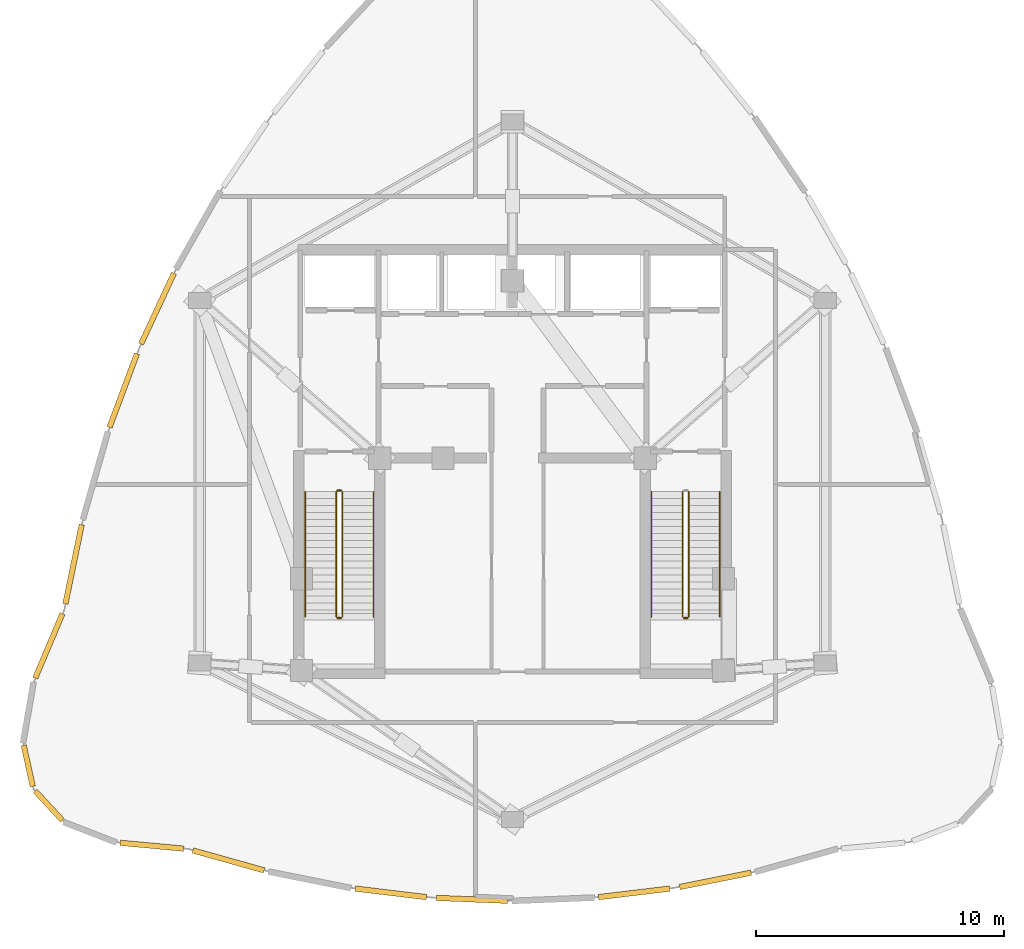
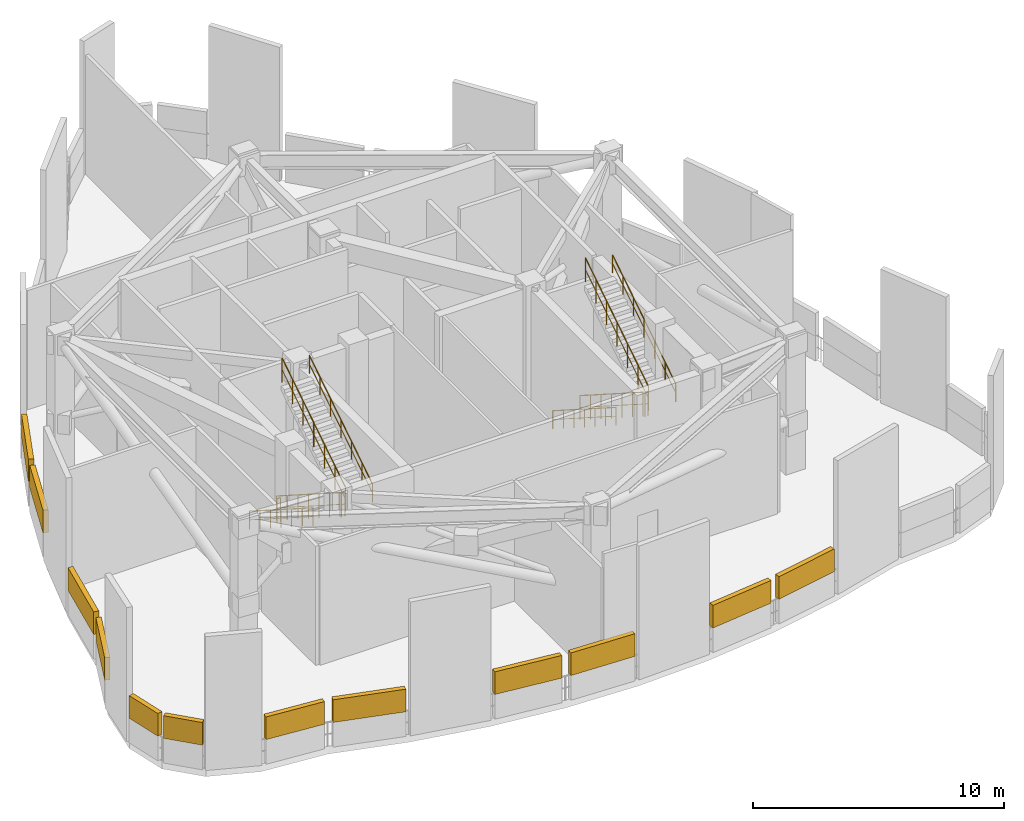
# One storey, part 5 of 8: 12 shading devices, 11 railings.
"""IFC4 building model written with IfcOpenShell, lengths in metres."""

import ifcopenshell
import ifcopenshell.guid

model = None  # the IFC model being written
_history = None  # IfcOwnerHistory: only IFC2X3 demands one
_inside = {}  # id of a spatial element -> (the spatial element, [elements in it])
_under = {}  # id of a project, library or spatial element -> (it, [spatial elements below it])
_declared = {}  # id of a project -> (the project, [libraries it declares])
_typed = {}  # id of a type object -> (the type object, [elements of that type])
_made_of = {}  # id of a material, layer set ... -> (it, [elements and type objects made of it])


def new_model(schema):
    """Start an empty IFC model of exactly this schema.

    Asked for "IFC4X3", IfcOpenShell would pick the latest addendum, in which some entities
    have other attributes; the version numbers below select the first issue.
    IFC2X3 requires an IfcOwnerHistory on every rooted entity: one is made here for all.
    """
    global model, _history
    if schema == "IFC4X3":
        model = ifcopenshell.file(schema_version=(4, 3, 0, 0))
    else:
        model = ifcopenshell.file(schema=schema)
    _inside.clear()
    _under.clear()
    _declared.clear()
    _typed.clear()
    _made_of.clear()
    _history = None
    if model.schema == "IFC2X3":
        org = make("IfcOrganization", Name="unknown")
        user = make(
            "IfcPersonAndOrganization",
            ThePerson=make("IfcPerson", FamilyName="unknown"),
            TheOrganization=org,
        )
        app = make(
            "IfcApplication",
            ApplicationDeveloper=org,
            Version="unknown",
            ApplicationFullName="unknown",
            ApplicationIdentifier="unknown",
        )
        _history = make(
            "IfcOwnerHistory",
            OwningUser=user,
            OwningApplication=app,
            ChangeAction="ADDED",
            CreationDate=0,
        )
    return model


def make(cls, **values):
    """One entity of the class cls with the attributes given. An attribute that is None is left unset."""
    return model.create_entity(
        cls, **{name: value for name, value in values.items() if value is not None}
    )


def rooted(cls, **values):
    """An entity with a GlobalId (a new one), such as an element, a storey or a relation."""
    return make(cls, GlobalId=ifcopenshell.guid.new(), OwnerHistory=_history, **values)


def si_unit(unit_type, name, prefix=None):
    """IfcSIUnit, for example si_unit("LENGTHUNIT", "METRE", prefix="MILLI")."""
    return make("IfcSIUnit", UnitType=unit_type, Prefix=prefix, Name=name)


def assignment(units):
    """IfcUnitAssignment: the units of a project."""
    return None if units is None else make("IfcUnitAssignment", Units=units)


def point(xyz):
    """IfcCartesianPoint."""
    return None if xyz is None else make("IfcCartesianPoint", Coordinates=xyz)


def direction(xyz):
    """IfcDirection."""
    return None if xyz is None else make("IfcDirection", DirectionRatios=xyz)


def frame(location, z_axis=None, x_axis=None):
    """IfcAxis2Placement3D, a coordinate frame: its origin and axes. An axis left out is left unset."""
    return make(
        "IfcAxis2Placement3D",
        Location=point(location),
        Axis=direction(z_axis),
        RefDirection=direction(x_axis),
    )


def frame_2d(location, x_axis=None):
    """IfcAxis2Placement2D, a coordinate frame in the plane: its origin and x axis."""
    return make(
        "IfcAxis2Placement2D", Location=point(location), RefDirection=direction(x_axis)
    )


def origin():
    """The frame at (0, 0, 0) with its axes left unset."""
    return frame((0.0, 0.0, 0.0))


def origin_2d():
    """The frame at (0, 0) in the plane with its x axis left unset."""
    return frame_2d((0.0, 0.0))


def place(relative_to, where):
    """IfcLocalPlacement: puts the frame where relative to a parent placement (None: the world)."""
    return make(
        "IfcLocalPlacement", PlacementRelTo=relative_to, RelativePlacement=where
    )


def context(
    kind, dimensions, precision=None, world=None, true_north=None, identifier=None
):
    """IfcGeometricRepresentationContext, for example the 3D "Model" context."""
    return make(
        "IfcGeometricRepresentationContext",
        ContextIdentifier=identifier,
        ContextType=kind,
        CoordinateSpaceDimension=dimensions,
        Precision=precision,
        WorldCoordinateSystem=world,
        TrueNorth=true_north,
    )


def subcontext(parent, identifier, kind, view, scale=None):
    """IfcGeometricRepresentationSubContext, for example "Body" below "Model"."""
    return make(
        "IfcGeometricRepresentationSubContext",
        ContextIdentifier=identifier,
        ContextType=kind,
        ParentContext=parent,
        TargetScale=scale,
        TargetView=view,
    )


def project(units=None, contexts=None):
    """IfcProject with its units and contexts."""
    return rooted(
        "IfcProject",
        Name="project",
        RepresentationContexts=contexts,
        UnitsInContext=assignment(units),
    )


def spatial(cls, under=None, at=None, **own):
    """A site, building, storey or space (cls), placed at a placement, below another one or the project."""
    s = rooted(cls, ObjectPlacement=at, **own)
    if under is not None:
        _under.setdefault(under.id(), (under, []))[1].append(s)
    return s


def profile(cls, at=None, kind="AREA", **sizes):
    """A parametric profile (cls). Its sizes go by their IFC names, for example OverallWidth=200.0."""
    return make(cls, ProfileType=kind, Position=at, **sizes)


def rectangle(**sizes):
    """IfcRectangleProfileDef."""
    return profile("IfcRectangleProfileDef", **sizes)


def circle(**sizes):
    """IfcCircleProfileDef."""
    return profile("IfcCircleProfileDef", **sizes)


def extrude(swept, where, along, depth):
    """IfcExtrudedAreaSolid: the profile swept, set in the frame where, extruded along a direction by depth."""
    return make(
        "IfcExtrudedAreaSolid",
        SweptArea=swept,
        Position=where,
        ExtrudedDirection=direction(along),
        Depth=depth,
    )


def shape(context_of_items, identifier, shape_type, items):
    """IfcShapeRepresentation: the items that make up one representation, for example the "Body"."""
    return make(
        "IfcShapeRepresentation",
        ContextOfItems=context_of_items,
        RepresentationIdentifier=identifier,
        RepresentationType=shape_type,
        Items=items,
    )


def material(Name=None, Category=None):
    """IfcMaterial."""
    return make("IfcMaterial", Name=Name, Category=Category)


def made_of(thing, what):
    """Note that an element or type object is made of a material, layer set ...; save() writes the relation."""
    if what is not None:
        _made_of.setdefault(what.id(), (what, []))[1].append(thing)
    return thing


def type_object(cls, material=None, **own):
    """A type object (cls), such as IfcWallType, which elements share."""
    return made_of(rooted(cls, **own), material)


def element(
    cls,
    number,
    at=None,
    inside=None,
    cuts=None,
    type_object=None,
    material=None,
    context=None,
    identifier="Body",
    shape_type=None,
    held_by="IfcProductDefinitionShape",
    body=None,
    shapes=None,
    **own,
):
    """One element of the class cls, such as IfcWall. Its Tag is "e" and its number.

    at: its placement. inside: the storey or other place that contains it. cuts: it is an
    opening in that element (IfcRelVoidsElement). A single representation is given by context,
    identifier, shape_type and body (its items); several are given by shapes. held_by: the class
    of the entity that holds the representations. save() writes the other relations.
    """
    e = rooted(cls, Tag="e%d" % number, ObjectPlacement=at, **own)
    if body is not None:
        shapes = [shape(context, identifier, shape_type, body)]
    if shapes is not None:
        e.Representation = make(held_by, Representations=shapes)
    if inside is not None:
        _inside.setdefault(inside.id(), (inside, []))[1].append(e)
    if cuts is not None:
        rooted(
            "IfcRelVoidsElement", RelatingBuildingElement=cuts, RelatedOpeningElement=e
        )
    if type_object is not None:
        _typed.setdefault(type_object.id(), (type_object, []))[1].append(e)
    return made_of(e, material)


def aggregate(whole, parts):
    """IfcRelAggregates: a whole, such as a stair, and the parts it consists of."""
    return rooted("IfcRelAggregates", RelatingObject=whole, RelatedObjects=parts)


def save(model, path):
    """Write the relations noted so far, then the file.

    IfcRelAggregates (storeys below a building ...), IfcRelContainedInSpatialStructure (elements
    in a storey), IfcRelDefinesByType, IfcRelAssociatesMaterial and IfcRelDeclares: one each for
    every whole, place, type object, material and project.
    """
    for whole, parts in _under.values():
        aggregate(whole, parts)
    for where, things in _inside.values():
        rooted(
            "IfcRelContainedInSpatialStructure",
            RelatedElements=things,
            RelatingStructure=where,
        )
    for kind, things in _typed.values():
        rooted("IfcRelDefinesByType", RelatedObjects=things, RelatingType=kind)
    for what, things in _made_of.values():
        rooted("IfcRelAssociatesMaterial", RelatedObjects=things, RelatingMaterial=what)
    for by, libraries in _declared.values():
        rooted("IfcRelDeclares", RelatingContext=by, RelatedDefinitions=libraries)
    model.write(path)


model = new_model("IFC4")

# Units and contexts
model_context = context("Model", 3, precision=1e-05, world=origin(), true_north=direction((0.0, 1.0)))
body_context = subcontext(model_context, "Body", "Model", "MODEL_VIEW")
ifc_project = project(units=[si_unit("LENGTHUNIT", "METRE"), si_unit("AREAUNIT", "SQUARE_METRE"), si_unit("VOLUMEUNIT", "CUBIC_METRE"), si_unit("PLANEANGLEUNIT", "RADIAN"), si_unit("MASSUNIT", "GRAM", prefix="KILO")], contexts=[model_context])

# Site, building, storey
site_placement = place(None, origin())
site = spatial("IfcSite", under=ifc_project, at=site_placement, CompositionType="ELEMENT")
building_placement = place(site_placement, origin())
building = spatial("IfcBuilding", under=site, at=building_placement, Name="Miruveldt Soraemaru", CompositionType="ELEMENT")
storey_placement = place(building_placement, frame((0.0, 0.0, 282.800048828125)))
storey = spatial("IfcBuildingStorey", under=building, at=storey_placement, Name="L77", CompositionType="ELEMENT", Elevation=282.800048828125)

# Railings
ifc_material_1 = material(Name="Steel S355 (355 MPa)", Category="steel")
railing_type_1 = type_object("IfcRailingType", Name="RAIL-HR-900", PredefinedType="HANDRAIL", material=ifc_material_1)
railing_1_placement = place(storey_placement, frame((35.64990234375, 42.699951171875, 0.178955078125)))
element("IfcRailing", 1, at=railing_1_placement, inside=storey, type_object=railing_type_1, Name="L77 ST-1 stair handrail 1", PredefinedType="HANDRAIL", context=body_context, shape_type="SweptSolid", body=[
    extrude(circle(Radius=0.02392578125, at=origin_2d()), frame((0.0, 0.0, 0.8759765625), z_axis=(0.0, -0.842626293466, 0.538498773963), x_axis=(1.0, 0.0, 0.0)), (0.0, 0.0, 1.0), 5.9814453125),
    extrude(circle(Radius=0.01611328125, at=origin_2d()), frame((0.0, 0.0, 0.449951171875), z_axis=(0.0, -0.842626293466, 0.538498773963), x_axis=(1.0, 0.0, 0.0)), (0.0, 0.0, 1.0), 5.9814453125),
    extrude(circle(Radius=0.02099609375, at=origin_2d()), origin(), (0.0, 0.0, 1.0), 0.851806640625),
    extrude(circle(Radius=0.02099609375, at=origin_2d()), frame((0.0, -0.840087890625, 0.536865234375)), (0.0, 0.0, 1.0), 0.851806640625),
    extrude(circle(Radius=0.02099609375, at=origin_2d()), frame((0.0, -1.679931640625, 1.07373046875)), (0.0, 0.0, 1.0), 0.851806640625),
    extrude(circle(Radius=0.02099609375, at=origin_2d()), frame((0.0, -2.52001953125, 1.6103515625)), (0.0, 0.0, 1.0), 0.851806640625),
    extrude(circle(Radius=0.02099609375, at=origin_2d()), frame((0.0, -3.360107421875, 2.147216796875)), (0.0, 0.0, 1.0), 0.851806640625),
    extrude(circle(Radius=0.02099609375, at=origin_2d()), frame((0.0, -4.199951171875, 2.68408203125)), (0.0, 0.0, 1.0), 0.851806640625),
    extrude(circle(Radius=0.02099609375, at=origin_2d()), frame((0.0, -5.0400390625, 3.220947265625)), (0.0, 0.0, 1.0), 0.851806640625),
])
railing_2_placement = place(storey_placement, frame((38.39990234375, 37.659912109375, 3.578857421875)))
element("IfcRailing", 2, at=railing_2_placement, inside=storey, type_object=railing_type_1, Name="L77 ST-1 stair handrail 2", PredefinedType="HANDRAIL", context=body_context, shape_type="SweptSolid", body=[
    extrude(circle(Radius=0.02392578125, at=origin_2d()), frame((0.0, 0.0, 0.8759765625), z_axis=(0.0, 0.842607772526, 0.538527753861), x_axis=(-1.0, 0.0, 0.0)), (0.0, 0.0, 1.0), 5.9814453125),
    extrude(circle(Radius=0.01611328125, at=origin_2d()), frame((0.0, 0.0, 0.449951171875), z_axis=(0.0, 0.842607772526, 0.538527753861), x_axis=(-1.0, 0.0, 0.0)), (0.0, 0.0, 1.0), 5.9814453125),
    extrude(circle(Radius=0.02099609375, at=origin_2d()), origin(), (0.0, 0.0, 1.0), 0.851806640625),
    extrude(circle(Radius=0.02099609375, at=origin_2d()), frame((0.0, 0.840087890625, 0.536865234375)), (0.0, 0.0, 1.0), 0.851806640625),
    extrude(circle(Radius=0.02099609375, at=origin_2d()), frame((0.0, 1.679931640625, 1.07373046875)), (0.0, 0.0, 1.0), 0.851806640625),
    extrude(circle(Radius=0.02099609375, at=origin_2d()), frame((0.0, 2.52001953125, 1.610595703125)), (0.0, 0.0, 1.0), 0.851806640625),
    extrude(circle(Radius=0.02099609375, at=origin_2d()), frame((0.0, 3.360107421875, 2.1474609375)), (0.0, 0.0, 1.0), 0.851806640625),
    extrude(circle(Radius=0.02099609375, at=origin_2d()), frame((0.0, 4.199951171875, 2.684326171875)), (0.0, 0.0, 1.0), 0.851806640625),
    extrude(circle(Radius=0.02099609375, at=origin_2d()), frame((0.0, 5.0400390625, 3.22119140625)), (0.0, 0.0, 1.0), 0.851806640625),
])
railing_3_placement = place(storey_placement, frame((49.60009765625, 42.699951171875, 0.178955078125)))
element("IfcRailing", 3, at=railing_3_placement, inside=storey, type_object=railing_type_1, Name="L77 ST-2 stair handrail 1", PredefinedType="HANDRAIL", context=body_context, shape_type="SweptSolid", body=[
    extrude(circle(Radius=0.02392578125, at=origin_2d()), frame((0.0, 0.0, 0.8759765625), z_axis=(0.0, -0.842626293466, 0.538498773963), x_axis=(1.0, 0.0, 0.0)), (0.0, 0.0, 1.0), 5.9814453125),
    extrude(circle(Radius=0.01611328125, at=origin_2d()), frame((0.0, 0.0, 0.449951171875), z_axis=(0.0, -0.842626293466, 0.538498773963), x_axis=(1.0, 0.0, 0.0)), (0.0, 0.0, 1.0), 5.9814453125),
    extrude(circle(Radius=0.02099609375, at=origin_2d()), origin(), (0.0, 0.0, 1.0), 0.851806640625),
    extrude(circle(Radius=0.02099609375, at=origin_2d()), frame((0.0, -0.840087890625, 0.536865234375)), (0.0, 0.0, 1.0), 0.851806640625),
    extrude(circle(Radius=0.02099609375, at=origin_2d()), frame((0.0, -1.679931640625, 1.07373046875)), (0.0, 0.0, 1.0), 0.851806640625),
    extrude(circle(Radius=0.02099609375, at=origin_2d()), frame((0.0, -2.52001953125, 1.6103515625)), (0.0, 0.0, 1.0), 0.851806640625),
    extrude(circle(Radius=0.02099609375, at=origin_2d()), frame((0.0, -3.360107421875, 2.147216796875)), (0.0, 0.0, 1.0), 0.851806640625),
    extrude(circle(Radius=0.02099609375, at=origin_2d()), frame((0.0, -4.199951171875, 2.68408203125)), (0.0, 0.0, 1.0), 0.851806640625),
    extrude(circle(Radius=0.02099609375, at=origin_2d()), frame((0.0, -5.0400390625, 3.220947265625)), (0.0, 0.0, 1.0), 0.851806640625),
])
railing_4_placement = place(storey_placement, frame((52.35009765625, 37.659912109375, 3.578857421875)))
element("IfcRailing", 4, at=railing_4_placement, inside=storey, type_object=railing_type_1, Name="L77 ST-2 stair handrail 2", PredefinedType="HANDRAIL", context=body_context, shape_type="SweptSolid", body=[
    extrude(circle(Radius=0.02392578125, at=origin_2d()), frame((0.0, 0.0, 0.8759765625), z_axis=(0.0, 0.842607772526, 0.538527753861), x_axis=(-1.0, 0.0, 0.0)), (0.0, 0.0, 1.0), 5.9814453125),
    extrude(circle(Radius=0.01611328125, at=origin_2d()), frame((0.0, 0.0, 0.449951171875), z_axis=(0.0, 0.842607772526, 0.538527753861), x_axis=(-1.0, 0.0, 0.0)), (0.0, 0.0, 1.0), 5.9814453125),
    extrude(circle(Radius=0.02099609375, at=origin_2d()), origin(), (0.0, 0.0, 1.0), 0.851806640625),
    extrude(circle(Radius=0.02099609375, at=origin_2d()), frame((0.0, 0.840087890625, 0.536865234375)), (0.0, 0.0, 1.0), 0.851806640625),
    extrude(circle(Radius=0.02099609375, at=origin_2d()), frame((0.0, 1.679931640625, 1.07373046875)), (0.0, 0.0, 1.0), 0.851806640625),
    extrude(circle(Radius=0.02099609375, at=origin_2d()), frame((0.0, 2.52001953125, 1.610595703125)), (0.0, 0.0, 1.0), 0.851806640625),
    extrude(circle(Radius=0.02099609375, at=origin_2d()), frame((0.0, 3.360107421875, 2.1474609375)), (0.0, 0.0, 1.0), 0.851806640625),
    extrude(circle(Radius=0.02099609375, at=origin_2d()), frame((0.0, 4.199951171875, 2.684326171875)), (0.0, 0.0, 1.0), 0.851806640625),
    extrude(circle(Radius=0.02099609375, at=origin_2d()), frame((0.0, 5.0400390625, 3.22119140625)), (0.0, 0.0, 1.0), 0.851806640625),
])
railing_type_2 = type_object("IfcRailingType", Name="RAIL-STGUARD-1200", PredefinedType="GUARDRAIL", material=ifc_material_1)
railing_5_placement = place(storey_placement, frame((36.89990234375, 42.699951171875, 0.178955078125)))
element("IfcRailing", 5, at=railing_5_placement, inside=storey, type_object=railing_type_2, Name="L77 ST-1 stair guard 1", PredefinedType="GUARDRAIL", context=body_context, shape_type="SweptSolid", body=[
    extrude(circle(Radius=0.02392578125, at=origin_2d()), frame((0.0, 0.0, 1.17578125), z_axis=(0.0, -0.842626293466, 0.538498773963), x_axis=(1.0, 0.0, 0.0)), (0.0, 0.0, 1.0), 5.9814453125),
    extrude(circle(Radius=0.01611328125, at=origin_2d()), frame((0.0, 0.0, 0.60009765625), z_axis=(0.0, -0.842626293466, 0.538498773963), x_axis=(1.0, 0.0, 0.0)), (0.0, 0.0, 1.0), 5.9814453125),
    extrude(circle(Radius=0.02099609375, at=origin_2d()), origin(), (0.0, 0.0, 1.0), 1.15185546875),
    extrude(circle(Radius=0.02099609375, at=origin_2d()), frame((0.0, -0.840087890625, 0.536865234375)), (0.0, 0.0, 1.0), 1.15185546875),
    extrude(circle(Radius=0.02099609375, at=origin_2d()), frame((0.0, -1.679931640625, 1.07373046875)), (0.0, 0.0, 1.0), 1.15185546875),
    extrude(circle(Radius=0.02099609375, at=origin_2d()), frame((0.0, -2.52001953125, 1.6103515625)), (0.0, 0.0, 1.0), 1.15185546875),
    extrude(circle(Radius=0.02099609375, at=origin_2d()), frame((0.0, -3.360107421875, 2.147216796875)), (0.0, 0.0, 1.0), 1.15185546875),
    extrude(circle(Radius=0.02099609375, at=origin_2d()), frame((0.0, -4.199951171875, 2.68408203125)), (0.0, 0.0, 1.0), 1.15185546875),
    extrude(circle(Radius=0.02099609375, at=origin_2d()), frame((0.0, -5.0400390625, 3.220947265625)), (0.0, 0.0, 1.0), 1.15185546875),
])
railing_6_placement = place(storey_placement, frame((36.949951171875, 37.610107421875, 3.39990234375)))
element("IfcRailing", 6, at=railing_6_placement, inside=storey, type_object=railing_type_2, Name="L77 ST-1 stair guard 2", PredefinedType="GUARDRAIL", context=body_context, shape_type="SweptSolid", body=[
    extrude(circle(Radius=0.02392578125, at=origin_2d()), frame((0.0, 0.0, 1.17578125), z_axis=(1.0, 0.0, 0.0), x_axis=(0.0, 1.0, 0.0)), (0.0, 0.0, 1.0), 0.150146484375),
    extrude(circle(Radius=0.01611328125, at=origin_2d()), frame((0.0, 0.0, 0.60009765625), z_axis=(1.0, 0.0, 0.0), x_axis=(0.0, 1.0, 0.0)), (0.0, 0.0, 1.0), 0.150146484375),
    extrude(circle(Radius=0.02099609375, at=origin_2d()), origin(), (0.0, 0.0, 1.0), 1.15185546875),
    extrude(circle(Radius=0.02099609375, at=origin_2d()), frame((0.150146484375, 0.0, 0.0)), (0.0, 0.0, 1.0), 1.15185546875),
])
railing_7_placement = place(storey_placement, frame((37.14990234375, 37.659912109375, 3.578857421875)))
element("IfcRailing", 7, at=railing_7_placement, inside=storey, type_object=railing_type_2, Name="L77 ST-1 stair guard 3", PredefinedType="GUARDRAIL", context=body_context, shape_type="SweptSolid", body=[
    extrude(circle(Radius=0.02392578125, at=origin_2d()), frame((0.0, 0.0, 1.17578125), z_axis=(0.0, 0.842607772526, 0.538527753861), x_axis=(-1.0, 0.0, 0.0)), (0.0, 0.0, 1.0), 5.9814453125),
    extrude(circle(Radius=0.01611328125, at=origin_2d()), frame((0.0, 0.0, 0.60009765625), z_axis=(0.0, 0.842607772526, 0.538527753861), x_axis=(-1.0, 0.0, 0.0)), (0.0, 0.0, 1.0), 5.9814453125),
    extrude(circle(Radius=0.02099609375, at=origin_2d()), origin(), (0.0, 0.0, 1.0), 1.15185546875),
    extrude(circle(Radius=0.02099609375, at=origin_2d()), frame((0.0, 0.840087890625, 0.536865234375)), (0.0, 0.0, 1.0), 1.15185546875),
    extrude(circle(Radius=0.02099609375, at=origin_2d()), frame((0.0, 1.679931640625, 1.07373046875)), (0.0, 0.0, 1.0), 1.15185546875),
    extrude(circle(Radius=0.02099609375, at=origin_2d()), frame((0.0, 2.52001953125, 1.610595703125)), (0.0, 0.0, 1.0), 1.15185546875),
    extrude(circle(Radius=0.02099609375, at=origin_2d()), frame((0.0, 3.360107421875, 2.1474609375)), (0.0, 0.0, 1.0), 1.15185546875),
    extrude(circle(Radius=0.02099609375, at=origin_2d()), frame((0.0, 4.199951171875, 2.684326171875)), (0.0, 0.0, 1.0), 1.15185546875),
    extrude(circle(Radius=0.02099609375, at=origin_2d()), frame((0.0, 5.0400390625, 3.22119140625)), (0.0, 0.0, 1.0), 1.15185546875),
])
railing_8_placement = place(storey_placement, frame((36.949951171875, 42.75, 0.0)))
element("IfcRailing", 8, at=railing_8_placement, inside=storey, type_object=railing_type_2, Name="L77 ST-1 stair guard 4", PredefinedType="GUARDRAIL", context=body_context, shape_type="SweptSolid", body=[
    extrude(circle(Radius=0.02392578125, at=origin_2d()), frame((0.0, 0.0, 1.17578125), z_axis=(1.0, 0.0, 0.0), x_axis=(0.0, 1.0, 0.0)), (0.0, 0.0, 1.0), 0.150146484375),
    extrude(circle(Radius=0.01611328125, at=origin_2d()), frame((0.0, 0.0, 0.60009765625), z_axis=(1.0, 0.0, 0.0), x_axis=(0.0, 1.0, 0.0)), (0.0, 0.0, 1.0), 0.150146484375),
    extrude(circle(Radius=0.02099609375, at=origin_2d()), origin(), (0.0, 0.0, 1.0), 1.15185546875),
    extrude(circle(Radius=0.02099609375, at=origin_2d()), frame((0.150146484375, 0.0, 0.0)), (0.0, 0.0, 1.0), 1.15185546875),
])
railing_9_placement = place(storey_placement, frame((50.85009765625, 42.699951171875, 0.178955078125)))
element("IfcRailing", 9, at=railing_9_placement, inside=storey, type_object=railing_type_2, Name="L77 ST-2 stair guard 1", PredefinedType="GUARDRAIL", context=body_context, shape_type="SweptSolid", body=[
    extrude(circle(Radius=0.02392578125, at=origin_2d()), frame((0.0, 0.0, 1.17578125), z_axis=(0.0, -0.842626293466, 0.538498773963), x_axis=(1.0, 0.0, 0.0)), (0.0, 0.0, 1.0), 5.9814453125),
    extrude(circle(Radius=0.01611328125, at=origin_2d()), frame((0.0, 0.0, 0.60009765625), z_axis=(0.0, -0.842626293466, 0.538498773963), x_axis=(1.0, 0.0, 0.0)), (0.0, 0.0, 1.0), 5.9814453125),
    extrude(circle(Radius=0.02099609375, at=origin_2d()), origin(), (0.0, 0.0, 1.0), 1.15185546875),
    extrude(circle(Radius=0.02099609375, at=origin_2d()), frame((0.0, -0.840087890625, 0.536865234375)), (0.0, 0.0, 1.0), 1.15185546875),
    extrude(circle(Radius=0.02099609375, at=origin_2d()), frame((0.0, -1.679931640625, 1.07373046875)), (0.0, 0.0, 1.0), 1.15185546875),
    extrude(circle(Radius=0.02099609375, at=origin_2d()), frame((0.0, -2.52001953125, 1.6103515625)), (0.0, 0.0, 1.0), 1.15185546875),
    extrude(circle(Radius=0.02099609375, at=origin_2d()), frame((0.0, -3.360107421875, 2.147216796875)), (0.0, 0.0, 1.0), 1.15185546875),
    extrude(circle(Radius=0.02099609375, at=origin_2d()), frame((0.0, -4.199951171875, 2.68408203125)), (0.0, 0.0, 1.0), 1.15185546875),
    extrude(circle(Radius=0.02099609375, at=origin_2d()), frame((0.0, -5.0400390625, 3.220947265625)), (0.0, 0.0, 1.0), 1.15185546875),
])
railing_10_placement = place(storey_placement, frame((50.89990234375, 37.610107421875, 3.39990234375)))
element("IfcRailing", 10, at=railing_10_placement, inside=storey, type_object=railing_type_2, Name="L77 ST-2 stair guard 2", PredefinedType="GUARDRAIL", context=body_context, shape_type="SweptSolid", body=[
    extrude(circle(Radius=0.02392578125, at=origin_2d()), frame((0.0, 0.0, 1.17578125), z_axis=(1.0, 0.0, 0.0), x_axis=(0.0, 1.0, 0.0)), (0.0, 0.0, 1.0), 0.150146484375),
    extrude(circle(Radius=0.01611328125, at=origin_2d()), frame((0.0, 0.0, 0.60009765625), z_axis=(1.0, 0.0, 0.0), x_axis=(0.0, 1.0, 0.0)), (0.0, 0.0, 1.0), 0.150146484375),
    extrude(circle(Radius=0.02099609375, at=origin_2d()), origin(), (0.0, 0.0, 1.0), 1.15185546875),
    extrude(circle(Radius=0.02099609375, at=origin_2d()), frame((0.150146484375, 0.0, 0.0)), (0.0, 0.0, 1.0), 1.15185546875),
])
railing_11_placement = place(storey_placement, frame((51.10009765625, 37.659912109375, 3.578857421875)))
element("IfcRailing", 11, at=railing_11_placement, inside=storey, type_object=railing_type_2, Name="L77 ST-2 stair guard 3", PredefinedType="GUARDRAIL", context=body_context, shape_type="SweptSolid", body=[
    extrude(circle(Radius=0.02392578125, at=origin_2d()), frame((0.0, 0.0, 1.17578125), z_axis=(0.0, 0.842607772526, 0.538527753861), x_axis=(-1.0, 0.0, 0.0)), (0.0, 0.0, 1.0), 5.9814453125),
    extrude(circle(Radius=0.01611328125, at=origin_2d()), frame((0.0, 0.0, 0.60009765625), z_axis=(0.0, 0.842607772526, 0.538527753861), x_axis=(-1.0, 0.0, 0.0)), (0.0, 0.0, 1.0), 5.9814453125),
    extrude(circle(Radius=0.02099609375, at=origin_2d()), origin(), (0.0, 0.0, 1.0), 1.15185546875),
    extrude(circle(Radius=0.02099609375, at=origin_2d()), frame((0.0, 0.840087890625, 0.536865234375)), (0.0, 0.0, 1.0), 1.15185546875),
    extrude(circle(Radius=0.02099609375, at=origin_2d()), frame((0.0, 1.679931640625, 1.07373046875)), (0.0, 0.0, 1.0), 1.15185546875),
    extrude(circle(Radius=0.02099609375, at=origin_2d()), frame((0.0, 2.52001953125, 1.610595703125)), (0.0, 0.0, 1.0), 1.15185546875),
    extrude(circle(Radius=0.02099609375, at=origin_2d()), frame((0.0, 3.360107421875, 2.1474609375)), (0.0, 0.0, 1.0), 1.15185546875),
    extrude(circle(Radius=0.02099609375, at=origin_2d()), frame((0.0, 4.199951171875, 2.684326171875)), (0.0, 0.0, 1.0), 1.15185546875),
    extrude(circle(Radius=0.02099609375, at=origin_2d()), frame((0.0, 5.0400390625, 3.22119140625)), (0.0, 0.0, 1.0), 1.15185546875),
])

# Shading devices
ifc_material_2 = material(Name="Anodised aluminium EN AW-6063 T6", Category="aluminium")
shading_device_type = type_object("IfcShadingDeviceType", Name="SHD-LOUVRE-JAL", PredefinedType="JALOUSIE", material=ifc_material_2)
shading_device_1_placement = place(storey_placement, frame((29.698974609375, 50.075927734375, 1.199951171875), z_axis=(0.0, 0.0, 1.0), x_axis=(-0.422301874901, -0.906455253421, 0.0)))
element("IfcShadingDevice", 12, at=shading_device_1_placement, inside=storey, type_object=shading_device_type, Name="L77 Aerodynamic Intake Louvre 11", PredefinedType="JALOUSIE", context=body_context, shape_type="SweptSolid", body=[
    extrude(rectangle(XDim=3.1416015625, YDim=0.219970703125, at=origin_2d()), origin(), (0.0, 0.0, 1.0), 1.10009765625),
])
shading_device_2_placement = place(storey_placement, frame((28.318115234375, 46.774658203125, 1.199951171875), z_axis=(0.0, 0.0, 1.0), x_axis=(-0.349046403698, -0.937105441274, 0.0)))
element("IfcShadingDevice", 13, at=shading_device_2_placement, inside=storey, type_object=shading_device_type, Name="L77 Aerodynamic Intake Louvre 12", PredefinedType="JALOUSIE", context=body_context, shape_type="SweptSolid", body=[
    extrude(rectangle(XDim=3.16162109375, YDim=0.219970703125, at=origin_2d()), origin(), (0.0, 0.0, 1.0), 1.10009765625),
])
shading_device_3_placement = place(storey_placement, frame((26.3173828125, 39.77978515625, 1.199951171875), z_axis=(0.0, 0.0, 1.0), x_axis=(-0.201556607891, -0.979476867422, 0.0)))
element("IfcShadingDevice", 14, at=shading_device_3_placement, inside=storey, type_object=shading_device_type, Name="L77 Aerodynamic Intake Louvre 14", PredefinedType="JALOUSIE", context=body_context, shape_type="SweptSolid", body=[
    extrude(rectangle(XDim=3.259765625, YDim=0.219970703125, at=origin_2d()), origin(), (0.0, 0.0, 1.0), 1.10009765625),
])
shading_device_4_placement = place(storey_placement, frame((25.321533203125, 36.489501953125, 1.199951171875), z_axis=(0.0, 0.0, 1.0), x_axis=(-0.38860940249, -0.921402589695, 0.0)))
element("IfcShadingDevice", 15, at=shading_device_4_placement, inside=storey, type_object=shading_device_type, Name="L77 Aerodynamic Intake Louvre 15", PredefinedType="JALOUSIE", context=body_context, shape_type="SweptSolid", body=[
    extrude(rectangle(XDim=2.819580078125, YDim=0.219970703125, at=origin_2d()), origin(), (0.0, 0.0, 1.0), 1.10009765625),
])
shading_device_5_placement = place(storey_placement, frame((24.49169921875, 31.65869140625, 1.199951171875), z_axis=(0.0, 0.0, 1.0), x_axis=(0.215757978057, -0.976446872546, 0.0)))
element("IfcShadingDevice", 16, at=shading_device_5_placement, inside=storey, type_object=shading_device_type, Name="L77 Aerodynamic Intake Louvre 17", PredefinedType="JALOUSIE", context=body_context, shape_type="SweptSolid", body=[
    extrude(rectangle(XDim=1.693115234375, YDim=0.219970703125, at=origin_2d()), origin(), (0.0, 0.0, 1.0), 1.10009765625),
])
shading_device_6_placement = place(storey_placement, frame((25.321533203125, 30.048583984375, 1.199951171875), z_axis=(0.0, 0.0, 1.0), x_axis=(0.68017091003, -0.733053567721, 0.0)))
element("IfcShadingDevice", 17, at=shading_device_6_placement, inside=storey, type_object=shading_device_type, Name="L77 Aerodynamic Intake Louvre 18", PredefinedType="JALOUSIE", context=body_context, shape_type="SweptSolid", body=[
    extrude(rectangle(XDim=1.61083984375, YDim=0.219970703125, at=origin_2d()), origin(), (0.0, 0.0, 1.0), 1.10009765625),
])
shading_device_7_placement = place(storey_placement, frame((29.471923828125, 28.438232421875, 1.199951171875), z_axis=(0.0, 0.0, 1.0), x_axis=(0.995760092541, -0.091988249809, 0.0)))
element("IfcShadingDevice", 18, at=shading_device_7_placement, inside=storey, type_object=shading_device_type, Name="L77 Aerodynamic Intake Louvre 20", PredefinedType="JALOUSIE", context=body_context, shape_type="SweptSolid", body=[
    extrude(rectangle(XDim=2.5673828125, YDim=0.219970703125, at=origin_2d()), origin(), (0.0, 0.0, 1.0), 1.10009765625),
])
shading_device_8_placement = place(storey_placement, frame((32.55908203125, 27.846435546875, 1.199951171875), z_axis=(0.0, 0.0, 1.0), x_axis=(0.962965179516, -0.269625783338, 0.0)))
element("IfcShadingDevice", 19, at=shading_device_8_placement, inside=storey, type_object=shading_device_type, Name="L77 Aerodynamic Intake Louvre 21", PredefinedType="JALOUSIE", context=body_context, shape_type="SweptSolid", body=[
    extrude(rectangle(XDim=2.9873046875, YDim=0.219970703125, at=origin_2d()), origin(), (0.0, 0.0, 1.0), 1.10009765625),
])
shading_device_9_placement = place(storey_placement, frame((39.0966796875, 26.538818359375, 1.199951171875), z_axis=(0.0, 0.0, 1.0), x_axis=(0.992876367296, -0.119149147143, 0.0)))
element("IfcShadingDevice", 20, at=shading_device_9_placement, inside=storey, type_object=shading_device_type, Name="L77 Aerodynamic Intake Louvre 23", PredefinedType="JALOUSIE", context=body_context, shape_type="SweptSolid", body=[
    extrude(rectangle(XDim=2.897216796875, YDim=0.219970703125, at=origin_2d()), origin(), (0.0, 0.0, 1.0), 1.10009765625),
])
shading_device_10_placement = place(storey_placement, frame((42.365478515625, 26.27734375, 1.199951171875), z_axis=(0.0, 0.0, 1.0), x_axis=(0.999200686675, -0.03997483895, 0.0)))
element("IfcShadingDevice", 21, at=shading_device_10_placement, inside=storey, type_object=shading_device_type, Name="L77 Aerodynamic Intake Louvre 24", PredefinedType="JALOUSIE", context=body_context, shape_type="SweptSolid", body=[
    extrude(rectangle(XDim=2.87890625, YDim=0.219970703125, at=origin_2d()), origin(), (0.0, 0.0, 1.0), 1.10009765625),
])
shading_device_11_placement = place(storey_placement, frame((48.9033203125, 26.538818359375, 1.199951171875), z_axis=(0.0, 0.0, 1.0), x_axis=(0.992876367296, 0.119149147143, 0.0)))
element("IfcShadingDevice", 22, at=shading_device_11_placement, inside=storey, type_object=shading_device_type, Name="L77 Aerodynamic Intake Louvre 26", PredefinedType="JALOUSIE", context=body_context, shape_type="SweptSolid", body=[
    extrude(rectangle(XDim=2.897216796875, YDim=0.219970703125, at=origin_2d()), origin(), (0.0, 0.0, 1.0), 1.10009765625),
])
shading_device_12_placement = place(storey_placement, frame((52.172119140625, 27.061767578125, 1.199951171875), z_axis=(0.0, 0.0, 1.0), x_axis=(0.980583867301, 0.196100176415, 0.0)))
element("IfcShadingDevice", 23, at=shading_device_12_placement, inside=storey, type_object=shading_device_type, Name="L77 Aerodynamic Intake Louvre 27", PredefinedType="JALOUSIE", context=body_context, shape_type="SweptSolid", body=[
    extrude(rectangle(XDim=2.93359375, YDim=0.219970703125, at=origin_2d()), origin(), (0.0, 0.0, 1.0), 1.10009765625),
])

save(model, "model.ifc")
